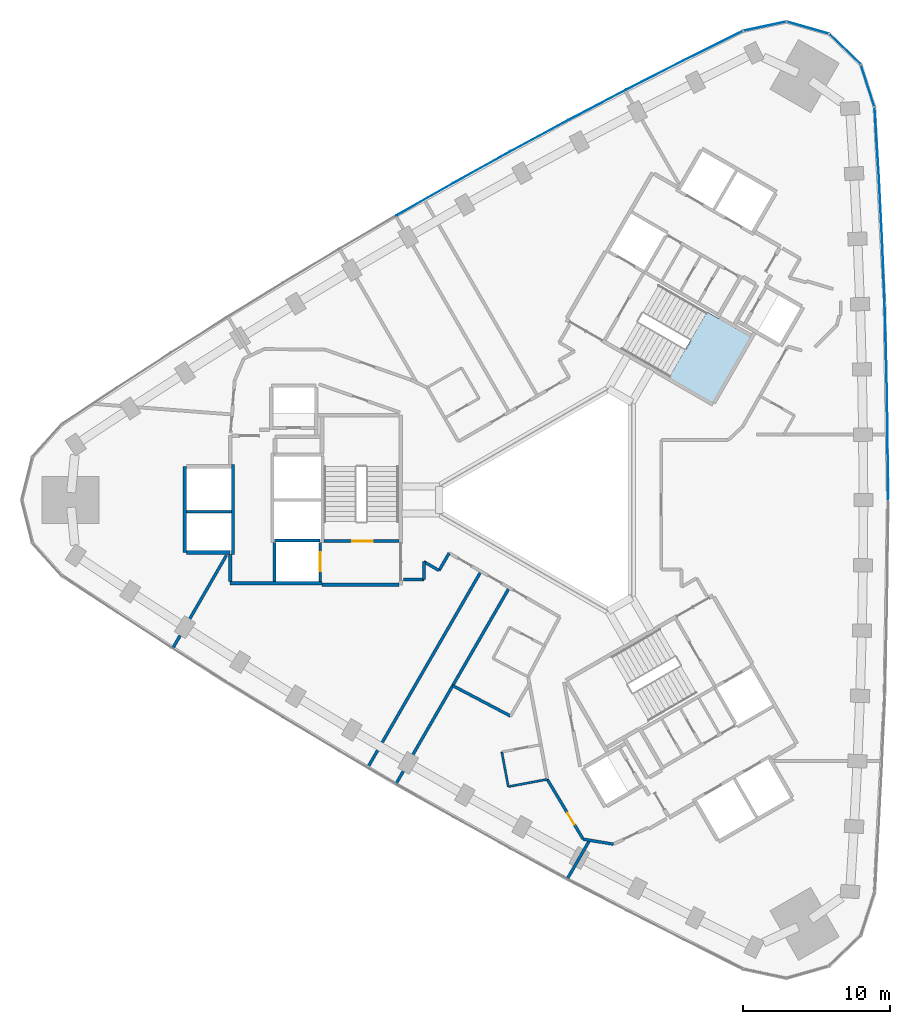
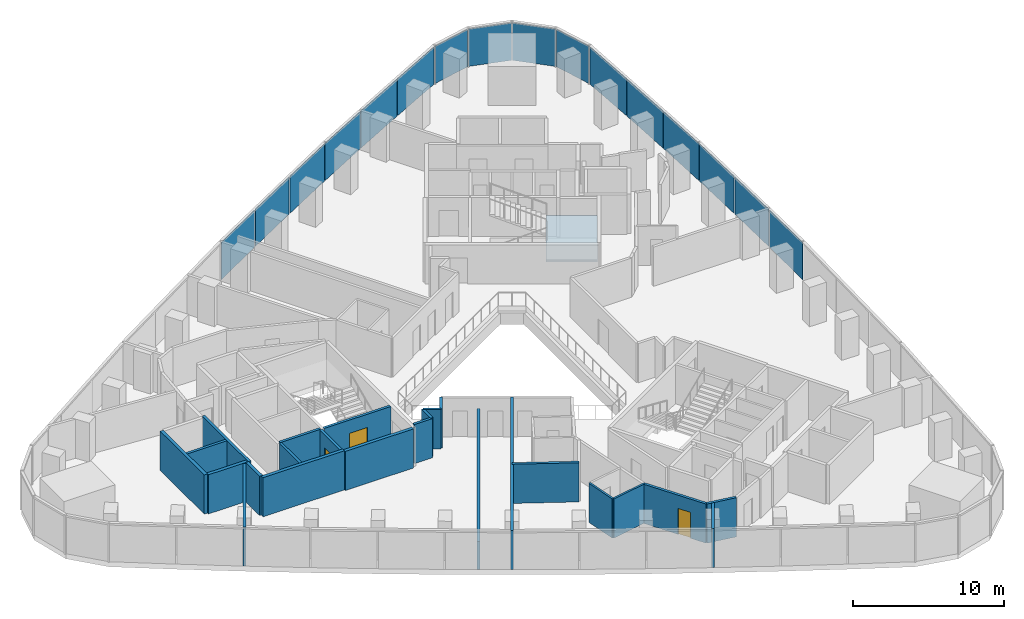
# One storey, part 7 of 12: 24 walls, 16 plates, 3 doors, 1 slab, 3 openings, 3 elements without a shape of their own.
"""IFC4 building model written with IfcOpenShell, lengths in metres."""

from ifc_helpers import new_model, si_unit, direction, frame, frame_2d, origin, origin_2d, place, context, subcontext, project, spatial, polyline, rectangle, outline, extrude, material, layer, layer_set, type_object, element, fill, aggregate, save


model = new_model("IFC4")

# Units and contexts
model_context = context("Model", 3, precision=1e-05, world=origin(), true_north=direction((0.0, 1.0)))
body_context = subcontext(model_context, "Body", "Model", "MODEL_VIEW")
ifc_project = project(units=[si_unit("LENGTHUNIT", "METRE"), si_unit("AREAUNIT", "SQUARE_METRE"), si_unit("VOLUMEUNIT", "CUBIC_METRE"), si_unit("PLANEANGLEUNIT", "RADIAN"), si_unit("MASSUNIT", "GRAM", prefix="KILO")], contexts=[model_context])

# Site, building, storey
site_placement = place(None, origin())
site = spatial("IfcSite", under=ifc_project, at=site_placement, CompositionType="ELEMENT")
building_placement = place(site_placement, origin())
building = spatial("IfcBuilding", under=site, at=building_placement, Name="Tamra Quay Hotel Tower", CompositionType="ELEMENT")
storey_placement = place(building_placement, frame((0.0, 0.0, 83.0)))
storey = spatial("IfcBuildingStorey", under=building, at=storey_placement, Name="L19", CompositionType="ELEMENT", Elevation=83.0)

# Stair, slab
ifc_material_1 = material(Name="Exit stair 2200 24 risers 150.0 going 342")
stair_type = type_object("IfcStairType", Name="Exit stair 2200 24 risers 150.0 going 342", PredefinedType="HALF_TURN_STAIR", material=ifc_material_1)
stair_placement = place(storey_placement, origin())
stair = element("IfcStair", 1, at=stair_placement, inside=storey, type_object=stair_type, Name="L19 Exit stair ST1", PredefinedType="HALF_TURN_STAIR")
ifc_material_2 = material(Name="Concrete M70", Category="concrete")
ifc_layer_1 = layer(ifc_material_2, 0.175048828125)
ifc_layer_set_1 = layer_set([ifc_layer_1], Name="Concrete M70 stair landing 180")
slab_type = type_object("IfcSlabType", Name="Concrete M70 stair landing 180", PredefinedType="LANDING", material=ifc_layer_set_1)
slab_placement = place(storey_placement, frame((0.0, 0.0, 1.625)))
slab = element("IfcSlab", 2, at=slab_placement, type_object=slab_type, Name="ST1 landing 1", PredefinedType="LANDING", context=body_context, shape_type="SweptSolid", body=[
    extrude(outline(polyline([(7.425048828125, 8.336669921875), (10.385009765625, 6.627685546875), (12.964599609375, 11.095458984375), (10.00439453125, 12.804443359375), (7.425048828125, 8.336669921875)])), origin(), (0.0, 0.0, 1.0), 0.175048828125),
])
aggregate(stair, [slab])

# Curtain wall, plates
ifc_material_3 = material(Name="Aluminium 6063 anodised dark grey", Category="aluminium")
curtain_wall_type_1 = type_object("IfcCurtainWallType", Name="CW1 CURTAIN WALL", PredefinedType="NOTDEFINED", material=ifc_material_3)
curtain_wall_1_placement = place(storey_placement, origin())
curtain_wall_1 = element("IfcCurtainWall", 3, at=curtain_wall_1_placement, inside=storey, type_object=curtain_wall_type_1, Name="CW1 east face L19", PredefinedType="NOTDEFINED")
ifc_material_4 = material(Name="Glass clear laminated low-iron", Category="glass")
ifc_layer_2 = layer(ifc_material_4, 0.033935546875)
ifc_layer_set_2 = layer_set([ifc_layer_2], Name="GLASS PANEL CW1 Z2")
plate_type_1 = type_object("IfcPlateType", Name="GLASS PANEL CW1 Z2", PredefinedType="CURTAIN_PANEL", material=ifc_layer_set_2)
plate_1_placement = place(storey_placement, frame((22.3203125, 2.23193359375, 0.0), z_axis=(0.0, 0.0, 1.0), x_axis=(-0.005712677225, 0.999983682526, 0.0)))
plate_1 = element("IfcPlate", 4, at=plate_1_placement, type_object=plate_type_1, Name="CW1 glass L19.E.7", PredefinedType="CURTAIN_PANEL", context=body_context, shape_type="SweptSolid", body=[
    extrude(rectangle(XDim=4.364013671875, YDim=0.033935546875, at=origin_2d()), origin(), (0.0, 0.0, 1.0), 3.034912109375),
])
plate_2_placement = place(storey_placement, frame((22.269287109375, 6.695556640625, 0.0), z_axis=(0.0, 0.0, 1.0), x_axis=(-0.017133900698, 0.999853203949, 0.0)))
plate_2 = element("IfcPlate", 5, at=plate_2_placement, type_object=plate_type_1, Name="CW1 glass L19.E.8", PredefinedType="CURTAIN_PANEL", context=body_context, shape_type="SweptSolid", body=[
    extrude(rectangle(XDim=4.364013671875, YDim=0.033935546875, at=origin_2d()), origin(), (0.0, 0.0, 1.0), 3.034912109375),
])
plate_3_placement = place(storey_placement, frame((22.167236328125, 11.158203125, 0.0), z_axis=(0.0, 0.0, 1.0), x_axis=(-0.028546238865, 0.999592473084, 0.0)))
plate_3 = element("IfcPlate", 6, at=plate_3_placement, type_object=plate_type_1, Name="CW1 glass L19.E.9", PredefinedType="CURTAIN_PANEL", context=body_context, shape_type="SweptSolid", body=[
    extrude(rectangle(XDim=4.364013671875, YDim=0.033935546875, at=origin_2d()), origin(), (0.0, 0.0, 1.0), 3.034912109375),
])
plate_4_placement = place(storey_placement, frame((22.014404296875, 15.61962890625, 0.0), z_axis=(0.0, 0.0, 1.0), x_axis=(-0.039943755239, 0.999201929751, 0.0)))
plate_4 = element("IfcPlate", 7, at=plate_4_placement, type_object=plate_type_1, Name="CW1 glass L19.E.10", PredefinedType="CURTAIN_PANEL", context=body_context, shape_type="SweptSolid", body=[
    extrude(rectangle(XDim=4.364013671875, YDim=0.033935546875, at=origin_2d()), origin(), (0.0, 0.0, 1.0), 3.034912109375),
])
plate_5_placement = place(storey_placement, frame((21.810791015625, 20.078857421875, 0.0), z_axis=(0.0, 0.0, 1.0), x_axis=(-0.051320550821, 0.998682232276, 0.0)))
plate_5 = element("IfcPlate", 8, at=plate_5_placement, type_object=plate_type_1, Name="CW1 glass L19.E.11", PredefinedType="CURTAIN_PANEL", context=body_context, shape_type="SweptSolid", body=[
    extrude(rectangle(XDim=4.364013671875, YDim=0.033935546875, at=origin_2d()), origin(), (0.0, 0.0, 1.0), 3.034912109375),
])
plate_6_placement = place(storey_placement, frame((21.556396484375, 24.53515625, 0.0), z_axis=(0.0, 0.0, 1.0), x_axis=(-0.062670105733, 0.998034296929, 0.0)))
plate_6 = element("IfcPlate", 9, at=plate_6_placement, type_object=plate_type_1, Name="CW1 glass L19.E.12", PredefinedType="CURTAIN_PANEL", context=body_context, shape_type="SweptSolid", body=[
    extrude(rectangle(XDim=4.363525390625, YDim=0.033935546875, at=origin_2d()), origin(), (0.0, 0.0, 1.0), 3.034912109375),
])
plate_7_placement = place(storey_placement, frame((20.9521484375, 28.197509765625, 0.0), z_axis=(0.0, 0.0, 1.0), x_axis=(-0.307790863622, 0.951454036867, 0.0)))
plate_7 = element("IfcPlate", 10, at=plate_7_placement, type_object=plate_type_1, Name="CW1 glass L19.E.13", PredefinedType="CURTAIN_PANEL", context=body_context, shape_type="SweptSolid", body=[
    extrude(rectangle(XDim=2.916748046875, YDim=0.033935546875, at=origin_2d()), origin(), (0.0, 0.0, 1.0), 3.034912109375),
])
plate_8_placement = place(storey_placement, frame((19.4033203125, 30.680908203125, 0.0), z_axis=(0.0, 0.0, 1.0), x_axis=(-0.71904127153, 0.694967373217, 0.0)))
plate_8 = element("IfcPlate", 11, at=plate_8_placement, type_object=plate_type_1, Name="CW1 glass L19.E.14", PredefinedType="CURTAIN_PANEL", context=body_context, shape_type="SweptSolid", body=[
    extrude(rectangle(XDim=2.916748046875, YDim=0.033935546875, at=origin_2d()), origin(), (0.0, 0.0, 1.0), 3.034912109375),
])
plate_9_placement = place(storey_placement, frame((16.868896484375, 32.144287109375, 0.0), z_axis=(0.0, 0.0, 1.0), x_axis=(-0.961380035772, 0.275224320906, 0.0)))
plate_9 = element("IfcPlate", 12, at=plate_9_placement, type_object=plate_type_1, Name="CW1 glass L19.E.15", PredefinedType="CURTAIN_PANEL", context=body_context, shape_type="SweptSolid", body=[
    extrude(rectangle(XDim=2.916748046875, YDim=0.033935546875, at=origin_2d()), origin(), (0.0, 0.0, 1.0), 3.034912109375),
])
plate_10_placement = place(storey_placement, frame((13.94384765625, 32.243896484375, 0.0), z_axis=(0.0, 0.0, 1.0), x_axis=(-0.977878798271, -0.209172311484, 0.0)))
plate_10 = element("IfcPlate", 13, at=plate_10_placement, type_object=plate_type_1, Name="CW1 glass L19.E.16", PredefinedType="CURTAIN_PANEL", context=body_context, shape_type="SweptSolid", body=[
    extrude(rectangle(XDim=2.916748046875, YDim=0.033935546875, at=origin_2d()), origin(), (0.0, 0.0, 1.0), 3.034912109375),
])
aggregate(curtain_wall_1, [plate_1, plate_2, plate_3, plate_4, plate_5, plate_6, plate_7, plate_8, plate_9, plate_10])

curtain_wall_type_2 = type_object("IfcCurtainWallType", Name="CW2 CURTAIN WALL", PredefinedType="NOTDEFINED", material=ifc_material_3)
curtain_wall_2_placement = place(storey_placement, origin())
curtain_wall_2 = element("IfcCurtainWall", 14, at=curtain_wall_2_placement, inside=storey, type_object=curtain_wall_type_2, Name="CW2 north-west face L19", PredefinedType="NOTDEFINED")
ifc_layer_3 = layer(ifc_material_4, 0.033935546875)
ifc_layer_set_3 = layer_set([ifc_layer_3], Name="GLASS PANEL CW2 Z2")
plate_type_2 = type_object("IfcPlateType", Name="GLASS PANEL CW2 Z2", PredefinedType="CURTAIN_PANEL", material=ifc_layer_set_3)
plate_11_placement = place(storey_placement, frame((10.469970703125, 30.935791015625, 0.0), z_axis=(0.0, 0.0, 1.0), x_axis=(-0.895658107856, -0.444743244842, 0.0)))
plate_11 = element("IfcPlate", 15, at=plate_11_placement, type_object=plate_type_2, Name="CW2 glass L19.NW.1", PredefinedType="CURTAIN_PANEL", context=body_context, shape_type="SweptSolid", body=[
    extrude(rectangle(XDim=4.363525390625, YDim=0.033935546875, at=origin_2d()), origin(), (0.0, 0.0, 1.0), 3.034912109375),
])
plate_12_placement = place(storey_placement, frame((6.4833984375, 28.927978515625, 0.0), z_axis=(0.0, 0.0, 1.0), x_axis=(-0.89054445887, -0.454896215391, 0.0)))
plate_12 = element("IfcPlate", 16, at=plate_12_placement, type_object=plate_type_2, Name="CW2 glass L19.NW.2", PredefinedType="CURTAIN_PANEL", context=body_context, shape_type="SweptSolid", body=[
    extrude(rectangle(XDim=4.364013671875, YDim=0.033935546875, at=origin_2d()), origin(), (0.0, 0.0, 1.0), 3.034912109375),
])
plate_13_placement = place(storey_placement, frame((2.519775390625, 26.874755859375, 0.0), z_axis=(0.0, 0.0, 1.0), x_axis=(-0.885306132294, -0.465008658116, 0.0)))
plate_13 = element("IfcPlate", 17, at=plate_13_placement, type_object=plate_type_2, Name="CW2 glass L19.NW.3", PredefinedType="CURTAIN_PANEL", context=body_context, shape_type="SweptSolid", body=[
    extrude(rectangle(XDim=4.364013671875, YDim=0.033935546875, at=origin_2d()), origin(), (0.0, 0.0, 1.0), 3.034912109375),
])
plate_14_placement = place(storey_placement, frame((-1.420166015625, 24.776611328125, 0.0), z_axis=(0.0, 0.0, 1.0), x_axis=(-0.879945594555, -0.475074468502, 0.0)))
plate_14 = element("IfcPlate", 18, at=plate_14_placement, type_object=plate_type_2, Name="CW2 glass L19.NW.4", PredefinedType="CURTAIN_PANEL", context=body_context, shape_type="SweptSolid", body=[
    extrude(rectangle(XDim=4.364013671875, YDim=0.033935546875, at=origin_2d()), origin(), (0.0, 0.0, 1.0), 3.034912109375),
])
plate_15_placement = place(storey_placement, frame((-5.336181640625, 22.633544921875, 0.0), z_axis=(0.0, 0.0, 1.0), x_axis=(-0.874465225024, -0.485088208704, 0.0)))
plate_15 = element("IfcPlate", 19, at=plate_15_placement, type_object=plate_type_2, Name="CW2 glass L19.NW.5", PredefinedType="CURTAIN_PANEL", context=body_context, shape_type="SweptSolid", body=[
    extrude(rectangle(XDim=4.364013671875, YDim=0.033935546875, at=origin_2d()), origin(), (0.0, 0.0, 1.0), 3.034912109375),
])
plate_16_placement = place(storey_placement, frame((-9.227294921875, 20.44580078125, 0.0), z_axis=(0.0, 0.0, 1.0), x_axis=(-0.86886761105, -0.495044517663, 0.0)))
plate_16 = element("IfcPlate", 20, at=plate_16_placement, type_object=plate_type_2, Name="CW2 glass L19.NW.6", PredefinedType="CURTAIN_PANEL", context=body_context, shape_type="SweptSolid", body=[
    extrude(rectangle(XDim=4.364013671875, YDim=0.033935546875, at=origin_2d()), origin(), (0.0, 0.0, 1.0), 3.034912109375),
])
aggregate(curtain_wall_2, [plate_11, plate_12, plate_13, plate_14, plate_15, plate_16])

# Wall
ifc_layer_4 = layer(ifc_material_2, 0.199951171875)
ifc_layer_set_4 = layer_set([ifc_layer_4], Name="Concrete M70 core wall 200")
wall_type_1 = type_object("IfcWallType", Name="Concrete M70 core wall 200", PredefinedType="SHEAR", material=ifc_layer_set_4)
wall_1_placement = place(storey_placement, frame((-22.26220703125, 2.400146484375, 0.0), z_axis=(0.0, 0.0, 1.0), x_axis=(0.0, -1.0, 0.0)))
element("IfcWall", 21, at=wall_1_placement, inside=storey, type_object=wall_type_1, Name="CW2", PredefinedType="SHEAR", context=body_context, shape_type="SweptSolid", body=[
    extrude(rectangle(XDim=6.100341796875, YDim=0.199951171875, at=frame_2d((3.05029296875, 0.0))), origin(), (0.0, 0.0, 1.0), 3.175048828125),
])

# Wall, opening, door
wall_2_placement = place(storey_placement, frame((-10.96337890625, -2.800048828125, 0.0), z_axis=(0.0, 0.0, 1.0), x_axis=(-1.0, 0.0, 0.0)))
wall_2 = element("IfcWall", 22, at=wall_2_placement, inside=storey, type_object=wall_type_1, Name="CW2", PredefinedType="SHEAR", context=body_context, shape_type="SweptSolid", body=[
    extrude(rectangle(XDim=5.097900390625, YDim=0.199951171875, at=frame_2d((2.548828125, 0.0))), origin(), (0.0, 0.0, 1.0), 3.175048828125),
])
opening_1_placement = place(wall_2_placement, frame((1.77392578125, 0.0, 0.0)))
opening_1 = element("IfcOpeningElement", 23, at=opening_1_placement, cuts=wall_2, Name="Opening FD2", PredefinedType="OPENING", context=body_context, shape_type="SweptSolid", body=[
    extrude(rectangle(XDim=1.39990234375, YDim=2.10009765625, at=frame_2d((0.699951171875, 1.050048828125))), frame((0.0, 0.10986328125, 0.0), z_axis=(0.0, -1.0, 0.0), x_axis=(1.0, 0.0, 0.0)), (0.0, 0.0, 1.0), 0.219970703125),
])
ifc_material_5 = material(Name="Core door FD2 1400x2100 LH")
door_type_1 = type_object("IfcDoorType", Name="Core door FD2 1400x2100 LH", OperationType="NOTDEFINED", PredefinedType="DOOR", material=ifc_material_5)
door_1_placement = place(opening_1_placement, origin())
door_1 = element("IfcDoor", 24, at=door_1_placement, inside=storey, type_object=door_type_1, Name="FD2", OperationType="SINGLE_SWING_LEFT", OverallHeight=2.10009765625, OverallWidth=1.39990234375, PredefinedType="DOOR", context=body_context, shape_type="SweptSolid", body=[
    extrude(rectangle(XDim=1.39990234375, YDim=2.10009765625, at=frame_2d((0.699951171875, 1.050048828125))), frame((0.0, 0.02490234375, 0.0), z_axis=(0.0, -1.0, 0.0), x_axis=(1.0, 0.0, 0.0)), (0.0, 0.0, 1.0), 0.050048828125),
])
fill(opening_1, door_1)

# Walls
wall_3_placement = place(storey_placement, frame((-22.36328125, -0.800048828125, 0.0), z_axis=(0.0, 0.0, 1.0), x_axis=(-1.0, 0.0, 0.0)))
element("IfcWall", 25, at=wall_3_placement, inside=storey, type_object=wall_type_1, Name="CW2", PredefinedType="SHEAR", context=body_context, shape_type="SweptSolid", body=[
    extrude(rectangle(XDim=3.048095703125, YDim=0.199951171875, at=frame_2d((1.52392578125, 0.0))), origin(), (0.0, 0.0, 1.0), 3.175048828125),
])
wall_4_placement = place(storey_placement, frame((-19.412353515625, -2.75, 0.0), z_axis=(0.0, 0.0, 1.0), x_axis=(1.0, 0.0, 0.0)))
element("IfcWall", 26, at=wall_4_placement, inside=storey, type_object=wall_type_1, Name="CW2", PredefinedType="SHEAR", context=body_context, shape_type="SweptSolid", body=[
    extrude(rectangle(XDim=3.10009765625, YDim=0.199951171875, at=frame_2d((1.550048828125, 0.0))), origin(), (0.0, 0.0, 1.0), 3.175048828125),
])

# Wall, opening, door
wall_5_placement = place(storey_placement, frame((-16.312255859375, -2.898193359375, 0.0), z_axis=(0.0, 0.0, 1.0), x_axis=(0.0, -1.0, 0.0)))
wall_5 = element("IfcWall", 27, at=wall_5_placement, inside=storey, type_object=wall_type_1, Name="CW2", PredefinedType="SHEAR", context=body_context, shape_type="SweptSolid", body=[
    extrude(rectangle(XDim=2.65087890625, YDim=0.199951171875, at=frame_2d((1.325439453125, 0.0))), origin(), (0.0, 0.0, 1.0), 3.175048828125),
])
opening_2_placement = place(wall_5_placement, frame((0.65185546875, 0.0, 0.0)))
opening_2 = element("IfcOpeningElement", 28, at=opening_2_placement, cuts=wall_5, Name="Opening LD", PredefinedType="OPENING", context=body_context, shape_type="SweptSolid", body=[
    extrude(rectangle(XDim=1.300048828125, YDim=2.10009765625, at=frame_2d((0.64990234375, 1.050048828125))), frame((0.0, 0.10986328125, 0.0), z_axis=(0.0, -1.0, 0.0), x_axis=(1.0, 0.0, 0.0)), (0.0, 0.0, 1.0), 0.219970703125),
])
ifc_material_6 = material(Name="Landing door LD 1300 sliding to left")
door_type_2 = type_object("IfcDoorType", Name="Landing door LD 1300 sliding to left", OperationType="NOTDEFINED", PredefinedType="DOOR", material=ifc_material_6)
door_2_placement = place(opening_2_placement, origin())
door_2 = element("IfcDoor", 29, at=door_2_placement, inside=storey, type_object=door_type_2, Name="LD", OperationType="SLIDING_TO_LEFT", OverallHeight=2.10009765625, OverallWidth=1.300048828125, PredefinedType="DOOR", context=body_context, shape_type="SweptSolid", body=[
    extrude(rectangle(XDim=1.300048828125, YDim=2.10009765625, at=frame_2d((0.64990234375, 1.050048828125))), frame((0.0, 0.02490234375, 0.0), z_axis=(0.0, -1.0, 0.0), x_axis=(1.0, 0.0, 0.0)), (0.0, 0.0, 1.0), 0.050048828125),
])
fill(opening_2, door_2)

# Walls
wall_6_placement = place(storey_placement, frame((-19.412353515625, -5.549072265625, 0.0), z_axis=(0.0, 0.0, 1.0), x_axis=(0.0, 1.0, 0.0)))
element("IfcWall", 30, at=wall_6_placement, inside=storey, type_object=wall_type_1, Name="CW2", PredefinedType="SHEAR", context=body_context, shape_type="SweptSolid", body=[
    extrude(rectangle(XDim=2.65087890625, YDim=0.199951171875, at=frame_2d((1.325439453125, 0.0))), origin(), (0.0, 0.0, 1.0), 3.175048828125),
])
ifc_layer_5 = layer(ifc_material_2, 0.25)
ifc_layer_set_5 = layer_set([ifc_layer_5], Name="Concrete M70 core wall 250")
wall_type_2 = type_object("IfcWallType", Name="Concrete M70 core wall 250", PredefinedType="SHEAR", material=ifc_layer_set_5)
wall_7_placement = place(storey_placement, frame((-16.187255859375, -5.675048828125, 0.0), z_axis=(0.0, 0.0, 1.0), x_axis=(-1.0, 0.0, 0.0)))
element("IfcWall", 31, at=wall_7_placement, inside=storey, type_object=wall_type_2, Name="CW1", PredefinedType="SHEAR", context=body_context, shape_type="SweptSolid", body=[
    extrude(rectangle(XDim=6.25, YDim=0.25, at=frame_2d((3.125, 0.0))), origin(), (0.0, 0.0, 1.0), 3.175048828125),
])
wall_8_placement = place(storey_placement, frame((-25.537353515625, -3.574951171875, 0.0), z_axis=(0.0, 0.0, 1.0), x_axis=(0.0, 1.0, 0.0)))
element("IfcWall", 32, at=wall_8_placement, inside=storey, type_object=wall_type_2, Name="CW1", PredefinedType="SHEAR", context=body_context, shape_type="SweptSolid", body=[
    extrude(rectangle(XDim=5.849853515625, YDim=0.25, at=frame_2d((2.9248046875, 0.0))), origin(), (0.0, 0.0, 1.0), 3.175048828125),
])
wall_9_placement = place(storey_placement, frame((-10.962646484375, -5.77490234375, 0.0), z_axis=(0.0, 0.0, 1.0), x_axis=(-1.0, 0.0, 0.0)))
element("IfcWall", 33, at=wall_9_placement, inside=storey, type_object=wall_type_2, Name="CW1", PredefinedType="SHEAR", context=body_context, shape_type="SweptSolid", body=[
    extrude(rectangle(XDim=5.224609375, YDim=0.25, at=frame_2d((2.6123046875, 0.0))), origin(), (0.0, 0.0, 1.0), 3.175048828125),
])
wall_10_placement = place(storey_placement, frame((-22.437255859375, -3.574951171875, 0.0), z_axis=(0.0, 0.0, 1.0), x_axis=(-1.0, 0.0, 0.0)))
element("IfcWall", 34, at=wall_10_placement, inside=storey, type_object=wall_type_2, Name="CW1", PredefinedType="SHEAR", context=body_context, shape_type="SweptSolid", body=[
    extrude(rectangle(XDim=2.974609375, YDim=0.25, at=frame_2d((1.4873046875, 0.0))), origin(), (0.0, 0.0, 1.0), 3.175048828125),
])
wall_11_placement = place(storey_placement, frame((-22.437255859375, -5.549560546875, 0.0), z_axis=(0.0, 0.0, 1.0), x_axis=(0.0, 1.0, 0.0)))
element("IfcWall", 35, at=wall_11_placement, inside=storey, type_object=wall_type_2, Name="CW1", PredefinedType="SHEAR", context=body_context, shape_type="SweptSolid", body=[
    extrude(rectangle(XDim=1.84912109375, YDim=0.25, at=frame_2d((0.924560546875, 0.0))), origin(), (0.0, 0.0, 1.0), 3.175048828125),
])
ifc_material_7 = material(Name="Partition corridor wall")
ifc_layer_6 = layer(ifc_material_7, 0.199951171875)
ifc_layer_set_6 = layer_set([ifc_layer_6], Name="Partition corridor wall")
wall_type_3 = type_object("IfcWallType", Name="Partition corridor wall", PredefinedType="PARTITIONING", material=ifc_layer_set_6)
wall_12_placement = place(storey_placement, frame((-10.65234375, -5.39990234375, 0.0), z_axis=(0.0, 0.0, 1.0), x_axis=(1.0, 0.0, 0.0)))
element("IfcWall", 36, at=wall_12_placement, inside=storey, type_object=wall_type_3, Name="W-C", PredefinedType="PARTITIONING", context=body_context, shape_type="SweptSolid", body=[
    extrude(rectangle(XDim=1.390380859375, YDim=0.199951171875, at=frame_2d((0.6953125, 0.0))), origin(), (0.0, 0.0, 1.0), 3.175048828125),
])
for number, where, z_axis, x_axis, name in (
    (37, (-9.261962890625, -5.39990234375, 0.0), (0.0, 0.0, 1.0), (0.0, 1.0, 0.0), "W-C"),
    (38, (-9.261962890625, -4.199951171875, 0.0), (0.0, 0.0, 1.0), (0.865955154139, -0.50012165622, 0.0), "W-C"),
):
    element("IfcWall", number, at=place(storey_placement, frame(where, z_axis=z_axis, x_axis=x_axis)), inside=storey, type_object=wall_type_3, Name=name, PredefinedType="PARTITIONING", context=body_context, shape_type="SweptSolid", body=[
        extrude(rectangle(XDim=1.199951171875, YDim=0.199951171875, at=frame_2d((0.60009765625, 0.0))), origin(), (0.0, 0.0, 1.0), 3.175048828125),
    ])
wall_13_placement = place(storey_placement, frame((-8.222900390625, -4.800048828125, 0.0), z_axis=(0.0, 0.0, 1.0), x_axis=(0.499804837697, 0.866138051476, 0.0)))
element("IfcWall", 39, at=wall_13_placement, inside=storey, type_object=wall_type_3, Name="W-C", PredefinedType="PARTITIONING", context=body_context, shape_type="SweptSolid", body=[
    extrude(rectangle(XDim=1.3681640625, YDim=0.199951171875, at=frame_2d((0.68408203125, 0.0))), origin(), (0.0, 0.0, 1.0), 3.175048828125),
])

# Wall, opening, door
wall_14_placement = place(storey_placement, frame((-0.85791015625, -19.01708984375, 0.0), z_axis=(0.0, 0.0, 1.0), x_axis=(0.514586543775, -0.857438446167, 0.0)))
wall_14 = element("IfcWall", 40, at=wall_14_placement, inside=storey, type_object=wall_type_3, Name="W-C", PredefinedType="PARTITIONING", context=body_context, shape_type="SweptSolid", body=[
    extrude(rectangle(XDim=4.745361328125, YDim=0.199951171875, at=frame_2d((2.37255859375, 0.0))), origin(), (0.0, 0.0, 1.0), 3.175048828125),
])
opening_3_placement = place(wall_14_placement, frame((2.64990234375, 0.0, 0.0)))
opening_3 = element("IfcOpeningElement", 41, at=opening_3_placement, cuts=wall_14, Name="Opening L19-D017", PredefinedType="OPENING", context=body_context, shape_type="SweptSolid", body=[
    extrude(rectangle(XDim=0.949951171875, YDim=2.10009765625, at=frame_2d((0.47509765625, 1.050048828125))), frame((0.0, 0.10986328125, 0.0), z_axis=(0.0, -1.0, 0.0), x_axis=(1.0, 0.0, 0.0)), (0.0, 0.0, 1.0), 0.219970703125),
])
ifc_material_8 = material(Name="Door guest room 950x2100")
door_type_3 = type_object("IfcDoorType", Name="Door guest room 950x2100", OperationType="NOTDEFINED", PredefinedType="DOOR", material=ifc_material_8)
door_3_placement = place(opening_3_placement, frame((0.949951171875, 0.0, 0.0), z_axis=(0.0, 0.0, 1.0), x_axis=(-1.0, 0.0, 0.0)))
door_3 = element("IfcDoor", 42, at=door_3_placement, inside=storey, type_object=door_type_3, Name="L19-D017", OperationType="SINGLE_SWING_LEFT", OverallHeight=2.10009765625, OverallWidth=0.949951171875, PredefinedType="DOOR", context=body_context, shape_type="SweptSolid", body=[
    extrude(rectangle(XDim=0.949951171875, YDim=2.10009765625, at=frame_2d((0.47509765625, 1.050048828125))), frame((0.0, 0.02490234375, 0.0), z_axis=(0.0, -1.0, 0.0), x_axis=(1.0, 0.0, 0.0)), (0.0, 0.0, 1.0), 0.050048828125),
])
fill(opening_3, door_3)

# Walls
wall_15_placement = place(storey_placement, frame((1.583984375, -23.0859375, 0.0), z_axis=(0.0, 0.0, 1.0), x_axis=(0.986516952697, -0.163659103145, 0.0)))
element("IfcWall", 43, at=wall_15_placement, inside=storey, type_object=wall_type_3, Name="W-C", PredefinedType="PARTITIONING", context=body_context, shape_type="SweptSolid", body=[
    extrude(rectangle(XDim=2.0869140625, YDim=0.199951171875, at=frame_2d((1.04345703125, 0.0))), origin(), (0.0, 0.0, 1.0), 3.175048828125),
])
ifc_material_9 = material(Name="Partition en-suite wall")
ifc_layer_7 = layer(ifc_material_9, 0.14990234375)
ifc_layer_set_7 = layer_set([ifc_layer_7], Name="Partition en-suite wall")
wall_type_4 = type_object("IfcWallType", Name="Partition en-suite wall", PredefinedType="PARTITIONING", material=ifc_layer_set_7)
wall_16_placement = place(storey_placement, frame((-3.952880859375, -17.154052734375, 0.0), z_axis=(0.0, 0.0, 1.0), x_axis=(0.184030127449, -0.982920603198, 0.0)))
element("IfcWall", 44, at=wall_16_placement, inside=storey, type_object=wall_type_4, Name="W-E", PredefinedType="PARTITIONING", context=body_context, shape_type="SweptSolid", body=[
    extrude(rectangle(XDim=2.39599609375, YDim=0.14990234375, at=frame_2d((1.197998046875, 0.0))), origin(), (0.0, 0.0, 1.0), 3.175048828125),
])
wall_17_placement = place(storey_placement, frame((-3.510009765625, -19.510986328125, 0.0), z_axis=(0.0, 0.0, 1.0), x_axis=(0.982950973509, 0.183867842969, 0.0)))
element("IfcWall", 45, at=wall_17_placement, inside=storey, type_object=wall_type_4, Name="W-E", PredefinedType="PARTITIONING", context=body_context, shape_type="SweptSolid", body=[
    extrude(rectangle(XDim=2.697998046875, YDim=0.14990234375, at=frame_2d((1.34912109375, 0.0))), origin(), (0.0, 0.0, 1.0), 3.175048828125),
])
ifc_material_10 = material(Name="Partition party wall")
ifc_layer_8 = layer(ifc_material_10, 0.199951171875)
ifc_layer_set_8 = layer_set([ifc_layer_8], Name="Partition party wall")
wall_type_5 = type_object("IfcWallType", Name="Partition party wall", PredefinedType="PARTITIONING", material=ifc_layer_set_8)
wall_18_placement = place(storey_placement, frame((-26.353515625, -10.099609375, 0.0), z_axis=(0.0, 0.0, 1.0), x_axis=(0.499973624332, 0.866040631248, 0.0)))
element("IfcWall", 46, at=wall_18_placement, inside=storey, type_object=wall_type_5, Name="W-P", PredefinedType="PARTITIONING", context=body_context, shape_type="SweptSolid", body=[
    extrude(rectangle(XDim=7.3203125, YDim=0.199951171875, at=frame_2d((3.66015625, 0.0))), origin(), (0.0, 0.0, 1.0), 3.175048828125),
])
wall_19_placement = place(storey_placement, frame((-13.08203125, -18.214599609375, 0.0), z_axis=(0.0, 0.0, 1.0), x_axis=(0.499954600016, 0.866051613891, 0.0)))
element("IfcWall", 47, at=wall_19_placement, inside=storey, type_object=wall_type_5, Name="W-P", PredefinedType="PARTITIONING", context=body_context, shape_type="SweptSolid", body=[
    extrude(rectangle(XDim=15.41552734375, YDim=0.199951171875, at=frame_2d((7.707763671875, 0.0))), origin(), (0.0, 0.0, 1.0), 2.27490234375),
])
wall_20_placement = place(storey_placement, frame((-11.1630859375, -19.337158203125, 0.0), z_axis=(0.0, 0.0, 1.0), x_axis=(0.499956700234, 0.866050401473, 0.0)))
element("IfcWall", 48, at=wall_20_placement, inside=storey, type_object=wall_type_5, Name="W-P", PredefinedType="PARTITIONING", context=body_context, shape_type="SweptSolid", body=[
    extrude(rectangle(XDim=15.427490234375, YDim=0.199951171875, at=frame_2d((7.7138671875, 0.0))), origin(), (0.0, 0.0, 1.0), 3.175048828125),
])
wall_21_placement = place(storey_placement, frame((-7.2958984375, -12.635986328125, 0.0), z_axis=(0.0, 0.0, 1.0), x_axis=(0.885017012747, -0.465558682819, 0.0)))
element("IfcWall", 49, at=wall_21_placement, inside=storey, type_object=wall_type_5, Name="W-P", PredefinedType="PARTITIONING", context=body_context, shape_type="SweptSolid", body=[
    extrude(rectangle(XDim=4.448486328125, YDim=0.199951171875, at=frame_2d((2.22412109375, 0.0))), origin(), (0.0, 0.0, 1.0), 3.175048828125),
])
wall_22_placement = place(storey_placement, frame((0.49560546875, -25.80517578125, 0.0), z_axis=(0.0, 0.0, 1.0), x_axis=(0.500125851006, 0.865952731479, 0.0)))
element("IfcWall", 50, at=wall_22_placement, inside=storey, type_object=wall_type_5, Name="W-P", PredefinedType="PARTITIONING", context=body_context, shape_type="SweptSolid", body=[
    extrude(rectangle(XDim=3.055908203125, YDim=0.199951171875, at=frame_2d((1.52783203125, 0.0))), origin(), (0.0, 0.0, 1.0), 3.175048828125),
])

save(model, "model.ifc")
